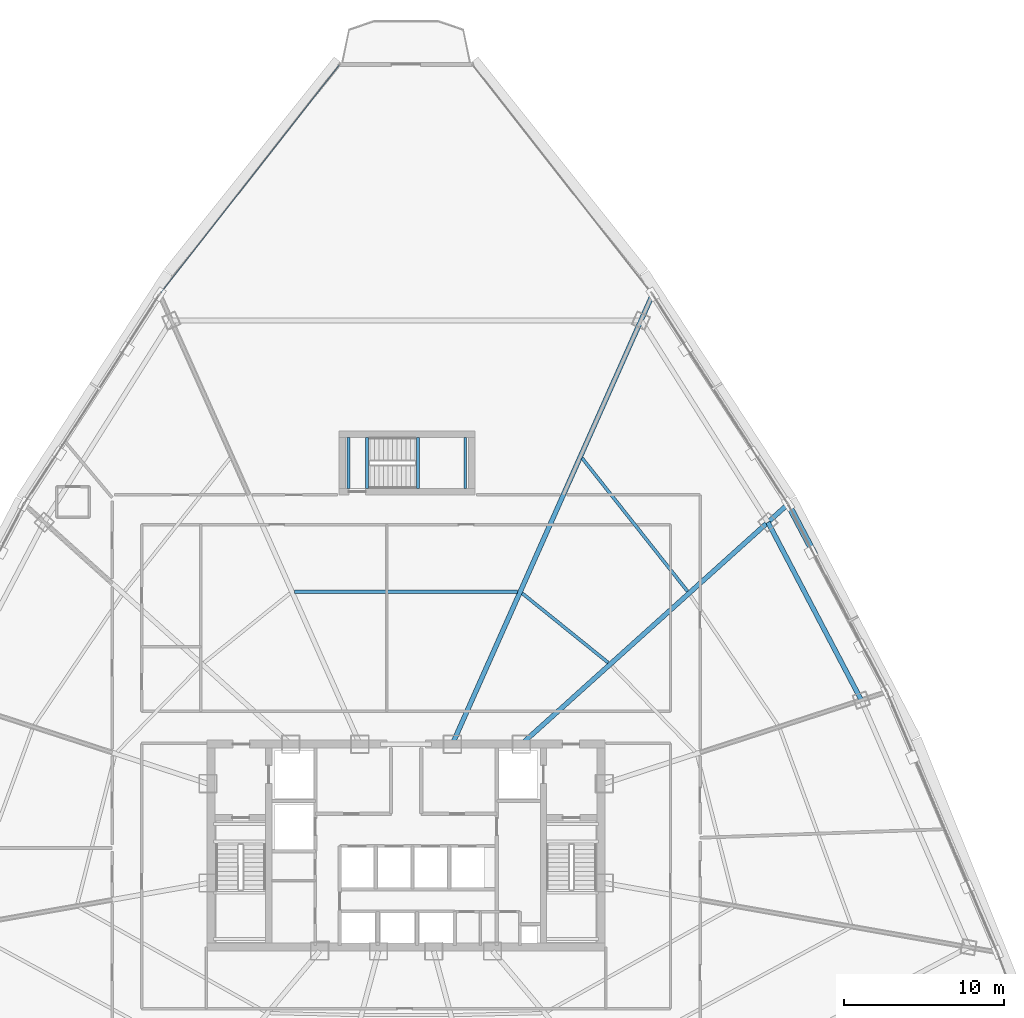
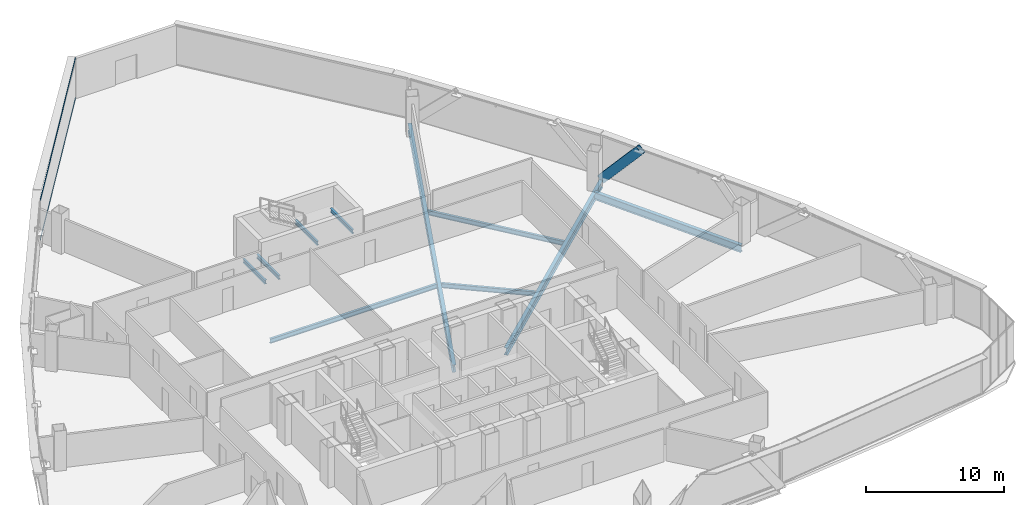
# One storey, part 19 of 37: 10 beams, 3 members, 1 element without a shape of its own.
"""IFC4 building model written with IfcOpenShell, lengths in metres."""

import ifcopenshell
import ifcopenshell.guid

model = None  # the IFC model being written
_history = None  # IfcOwnerHistory: only IFC2X3 demands one
_inside = {}  # id of a spatial element -> (the spatial element, [elements in it])
_under = {}  # id of a project, library or spatial element -> (it, [spatial elements below it])
_declared = {}  # id of a project -> (the project, [libraries it declares])
_typed = {}  # id of a type object -> (the type object, [elements of that type])
_made_of = {}  # id of a material, layer set ... -> (it, [elements and type objects made of it])


def new_model(schema):
    """Start an empty IFC model of exactly this schema.

    Asked for "IFC4X3", IfcOpenShell would pick the latest addendum, in which some entities
    have other attributes; the version numbers below select the first issue.
    IFC2X3 requires an IfcOwnerHistory on every rooted entity: one is made here for all.
    """
    global model, _history
    if schema == "IFC4X3":
        model = ifcopenshell.file(schema_version=(4, 3, 0, 0))
    else:
        model = ifcopenshell.file(schema=schema)
    _inside.clear()
    _under.clear()
    _declared.clear()
    _typed.clear()
    _made_of.clear()
    _history = None
    if model.schema == "IFC2X3":
        org = make("IfcOrganization", Name="unknown")
        user = make(
            "IfcPersonAndOrganization",
            ThePerson=make("IfcPerson", FamilyName="unknown"),
            TheOrganization=org,
        )
        app = make(
            "IfcApplication",
            ApplicationDeveloper=org,
            Version="unknown",
            ApplicationFullName="unknown",
            ApplicationIdentifier="unknown",
        )
        _history = make(
            "IfcOwnerHistory",
            OwningUser=user,
            OwningApplication=app,
            ChangeAction="ADDED",
            CreationDate=0,
        )
    return model


def make(cls, **values):
    """One entity of the class cls with the attributes given. An attribute that is None is left unset."""
    return model.create_entity(
        cls, **{name: value for name, value in values.items() if value is not None}
    )


def rooted(cls, **values):
    """An entity with a GlobalId (a new one), such as an element, a storey or a relation."""
    return make(cls, GlobalId=ifcopenshell.guid.new(), OwnerHistory=_history, **values)


def si_unit(unit_type, name, prefix=None):
    """IfcSIUnit, for example si_unit("LENGTHUNIT", "METRE", prefix="MILLI")."""
    return make("IfcSIUnit", UnitType=unit_type, Prefix=prefix, Name=name)


def assignment(units):
    """IfcUnitAssignment: the units of a project."""
    return None if units is None else make("IfcUnitAssignment", Units=units)


def point(xyz):
    """IfcCartesianPoint."""
    return None if xyz is None else make("IfcCartesianPoint", Coordinates=xyz)


def direction(xyz):
    """IfcDirection."""
    return None if xyz is None else make("IfcDirection", DirectionRatios=xyz)


def frame(location, z_axis=None, x_axis=None):
    """IfcAxis2Placement3D, a coordinate frame: its origin and axes. An axis left out is left unset."""
    return make(
        "IfcAxis2Placement3D",
        Location=point(location),
        Axis=direction(z_axis),
        RefDirection=direction(x_axis),
    )


def frame_2d(location, x_axis=None):
    """IfcAxis2Placement2D, a coordinate frame in the plane: its origin and x axis."""
    return make(
        "IfcAxis2Placement2D", Location=point(location), RefDirection=direction(x_axis)
    )


def origin():
    """The frame at (0, 0, 0) with its axes left unset."""
    return frame((0.0, 0.0, 0.0))


def origin_2d():
    """The frame at (0, 0) in the plane with its x axis left unset."""
    return frame_2d((0.0, 0.0))


def place(relative_to, where):
    """IfcLocalPlacement: puts the frame where relative to a parent placement (None: the world)."""
    return make(
        "IfcLocalPlacement", PlacementRelTo=relative_to, RelativePlacement=where
    )


def context(
    kind, dimensions, precision=None, world=None, true_north=None, identifier=None
):
    """IfcGeometricRepresentationContext, for example the 3D "Model" context."""
    return make(
        "IfcGeometricRepresentationContext",
        ContextIdentifier=identifier,
        ContextType=kind,
        CoordinateSpaceDimension=dimensions,
        Precision=precision,
        WorldCoordinateSystem=world,
        TrueNorth=true_north,
    )


def subcontext(parent, identifier, kind, view, scale=None):
    """IfcGeometricRepresentationSubContext, for example "Body" below "Model"."""
    return make(
        "IfcGeometricRepresentationSubContext",
        ContextIdentifier=identifier,
        ContextType=kind,
        ParentContext=parent,
        TargetScale=scale,
        TargetView=view,
    )


def project(units=None, contexts=None):
    """IfcProject with its units and contexts."""
    return rooted(
        "IfcProject",
        Name="project",
        RepresentationContexts=contexts,
        UnitsInContext=assignment(units),
    )


def spatial(cls, under=None, at=None, **own):
    """A site, building, storey or space (cls), placed at a placement, below another one or the project."""
    s = rooted(cls, ObjectPlacement=at, **own)
    if under is not None:
        _under.setdefault(under.id(), (under, []))[1].append(s)
    return s


def profile(cls, at=None, kind="AREA", **sizes):
    """A parametric profile (cls). Its sizes go by their IFC names, for example OverallWidth=200.0."""
    return make(cls, ProfileType=kind, Position=at, **sizes)


def hollow_rectangle(**sizes):
    """IfcRectangleHollowProfileDef."""
    return profile("IfcRectangleHollowProfileDef", **sizes)


def i_section(**sizes):
    """IfcIShapeProfileDef."""
    return profile("IfcIShapeProfileDef", **sizes)


def extrude(swept, where, along, depth):
    """IfcExtrudedAreaSolid: the profile swept, set in the frame where, extruded along a direction by depth."""
    return make(
        "IfcExtrudedAreaSolid",
        SweptArea=swept,
        Position=where,
        ExtrudedDirection=direction(along),
        Depth=depth,
    )


def shape(context_of_items, identifier, shape_type, items):
    """IfcShapeRepresentation: the items that make up one representation, for example the "Body"."""
    return make(
        "IfcShapeRepresentation",
        ContextOfItems=context_of_items,
        RepresentationIdentifier=identifier,
        RepresentationType=shape_type,
        Items=items,
    )


def source(mapping_origin, context_of_items, identifier, shape_type, items):
    """IfcRepresentationMap: a shape defined once, which mapped items show again and again."""
    return make(
        "IfcRepresentationMap",
        MappingOrigin=mapping_origin,
        MappedRepresentation=shape(context_of_items, identifier, shape_type, items),
    )


def transform(
    local_origin,
    x_axis=None,
    y_axis=None,
    z_axis=None,
    scale=None,
    scale2=None,
    scale3=None,
    uniform=True,
):
    """IfcCartesianTransformationOperator3D, or its non-uniform kind. x_axis, y_axis, z_axis: its Axis1, 2, 3."""
    if uniform:
        return make(
            "IfcCartesianTransformationOperator3D",
            Axis1=direction(x_axis),
            Axis2=direction(y_axis),
            LocalOrigin=point(local_origin),
            Scale=scale,
            Axis3=direction(z_axis),
        )
    return make(
        "IfcCartesianTransformationOperator3DnonUniform",
        Axis1=direction(x_axis),
        Axis2=direction(y_axis),
        LocalOrigin=point(local_origin),
        Scale=scale,
        Axis3=direction(z_axis),
        Scale2=scale2,
        Scale3=scale3,
    )


def mapped(mapping_source, mapping_target):
    """IfcMappedItem: shows the shape of a source again, moved by a transform."""
    return make(
        "IfcMappedItem", MappingSource=mapping_source, MappingTarget=mapping_target
    )


def material(Name=None, Category=None):
    """IfcMaterial."""
    return make("IfcMaterial", Name=Name, Category=Category)


def layer(
    of_material, thickness, ventilated=None, Name=None, Category=None, Priority=None
):
    """IfcMaterialLayer: one layer of a wall or slab, of a material (None: an air gap)."""
    return make(
        "IfcMaterialLayer",
        Material=of_material,
        LayerThickness=thickness,
        IsVentilated=ventilated,
        Name=Name,
        Category=Category,
        Priority=Priority,
    )


def layer_set(layers, Name=None):
    """IfcMaterialLayerSet."""
    return make("IfcMaterialLayerSet", MaterialLayers=layers, LayerSetName=Name)


def material_profile(
    of_material, cross_section, Name=None, Category=None, Priority=None
):
    """IfcMaterialProfile: a cross section and its material."""
    return make(
        "IfcMaterialProfile",
        Name=Name,
        Material=of_material,
        Profile=cross_section,
        Priority=Priority,
        Category=Category,
    )


def profile_set(profiles, Name=None, composite=None):
    """IfcMaterialProfileSet."""
    return make(
        "IfcMaterialProfileSet",
        Name=Name,
        MaterialProfiles=profiles,
        CompositeProfile=composite,
    )


def made_of(thing, what):
    """Note that an element or type object is made of a material, layer set ...; save() writes the relation."""
    if what is not None:
        _made_of.setdefault(what.id(), (what, []))[1].append(thing)
    return thing


def type_object(cls, material=None, **own):
    """A type object (cls), such as IfcWallType, which elements share."""
    return made_of(rooted(cls, **own), material)


def element(
    cls,
    number,
    at=None,
    inside=None,
    cuts=None,
    type_object=None,
    material=None,
    context=None,
    identifier="Body",
    shape_type=None,
    held_by="IfcProductDefinitionShape",
    body=None,
    shapes=None,
    **own,
):
    """One element of the class cls, such as IfcWall. Its Tag is "e" and its number.

    at: its placement. inside: the storey or other place that contains it. cuts: it is an
    opening in that element (IfcRelVoidsElement). A single representation is given by context,
    identifier, shape_type and body (its items); several are given by shapes. held_by: the class
    of the entity that holds the representations. save() writes the other relations.
    """
    e = rooted(cls, Tag="e%d" % number, ObjectPlacement=at, **own)
    if body is not None:
        shapes = [shape(context, identifier, shape_type, body)]
    if shapes is not None:
        e.Representation = make(held_by, Representations=shapes)
    if inside is not None:
        _inside.setdefault(inside.id(), (inside, []))[1].append(e)
    if cuts is not None:
        rooted(
            "IfcRelVoidsElement", RelatingBuildingElement=cuts, RelatedOpeningElement=e
        )
    if type_object is not None:
        _typed.setdefault(type_object.id(), (type_object, []))[1].append(e)
    return made_of(e, material)


def aggregate(whole, parts):
    """IfcRelAggregates: a whole, such as a stair, and the parts it consists of."""
    return rooted("IfcRelAggregates", RelatingObject=whole, RelatedObjects=parts)


def save(model, path):
    """Write the relations noted so far, then the file.

    IfcRelAggregates (storeys below a building ...), IfcRelContainedInSpatialStructure (elements
    in a storey), IfcRelDefinesByType, IfcRelAssociatesMaterial and IfcRelDeclares: one each for
    every whole, place, type object, material and project.
    """
    for whole, parts in _under.values():
        aggregate(whole, parts)
    for where, things in _inside.values():
        rooted(
            "IfcRelContainedInSpatialStructure",
            RelatedElements=things,
            RelatingStructure=where,
        )
    for kind, things in _typed.values():
        rooted("IfcRelDefinesByType", RelatedObjects=things, RelatingType=kind)
    for what, things in _made_of.values():
        rooted("IfcRelAssociatesMaterial", RelatedObjects=things, RelatingMaterial=what)
    for by, libraries in _declared.values():
        rooted("IfcRelDeclares", RelatingContext=by, RelatedDefinitions=libraries)
    model.write(path)


model = new_model("IFC4")

# Units and contexts
model_context = context("Model", 3, precision=1e-05, world=origin(), true_north=direction((0.0, 1.0)))
body_context = subcontext(model_context, "Body", "Model", "MODEL_VIEW")
ifc_project = project(units=[si_unit("LENGTHUNIT", "METRE"), si_unit("AREAUNIT", "SQUARE_METRE"), si_unit("VOLUMEUNIT", "CUBIC_METRE"), si_unit("PLANEANGLEUNIT", "RADIAN"), si_unit("MASSUNIT", "GRAM", prefix="KILO"), si_unit("THERMODYNAMICTEMPERATUREUNIT", "KELVIN"), si_unit("POWERUNIT", "WATT")], contexts=[model_context])

# Site, building, storey
site_placement = place(None, origin())
site = spatial("IfcSite", under=ifc_project, at=site_placement, CompositionType="ELEMENT")
building_placement = place(site_placement, origin())
building = spatial("IfcBuilding", under=site, at=building_placement, Name="Yunzhuo Pagoda Commons", CompositionType="ELEMENT")
storey_placement = place(building_placement, frame((0.0, 0.0, 207.56005859375)))
storey = spatial("IfcBuildingStorey", under=building, at=storey_placement, Name="L52", CompositionType="ELEMENT", Elevation=207.56005859375)

# Beams
ifc_material_1 = material(Name="Structural steel Q355B", Category="steel")
ifc_material_profile_1 = material_profile(ifc_material_1, i_section(OverallWidth=0.175048828125, OverallDepth=0.35009765625, WebThickness=0.007080078125, FlangeThickness=0.010986328125, at=origin_2d()), Name="Structural steel Q355B")
ifc_profile_set_1 = profile_set([ifc_material_profile_1], Name="Structural steel Q355B")
beam_type_1 = type_object("IfcBeamType", Name="B-JS2 Joist HN 350x175x7x11", PredefinedType="JOIST", material=ifc_profile_set_1)
shared_shape_1 = source(origin(), body_context, "Body", "SweptSolid", [
    extrude(i_section(OverallWidth=0.175048828125, OverallDepth=0.35009765625, WebThickness=0.007080078125, FlangeThickness=0.010986328125, at=origin_2d()), origin(), (0.0, 0.0, 1.0), 3.199951171875),
])
for number, where, z_axis, x_axis, name in (
    (1, (48.75, 56.199951171875, 1.52490234375), (0.0, 1.0, 0.0), (-1.0, 0.0, 0.0), "L52 ST3 landing support beam 58A"),
    (2, (51.699951171875, 56.199951171875, 1.52490234375), (0.0, 1.0, 0.0), (-1.0, 0.0, 0.0), "L52 ST3 landing support beam 58B"),
    (3, (44.39990234375, 56.199951171875, -0.375), (0.0, 1.0, 0.0), (-1.0, 0.0, 0.0), "L52 ST3 landing support beam 126A"),
    (4, (45.550048828125, 56.199951171875, -0.375), (0.0, 1.0, 0.0), (-1.0, 0.0, 0.0), "L52 ST3 landing support beam 126B"),
):
    element("IfcBeam", number, at=place(storey_placement, frame(where, z_axis=z_axis, x_axis=x_axis)), inside=storey, type_object=beam_type_1, Name=name, PredefinedType="JOIST", context=body_context, shape_type="MappedRepresentation", body=[
        mapped(shared_shape_1, transform((0.0, 0.0, 0.0), scale=1.0)),
    ])
ifc_material_profile_2 = material_profile(ifc_material_1, i_section(OverallWidth=0.300048828125, OverallDepth=0.64990234375, WebThickness=0.012939453125, FlangeThickness=0.02197265625, at=origin_2d()), Name="Structural steel Q355B")
ifc_profile_set_2 = profile_set([ifc_material_profile_2], Name="Structural steel Q355B")
beam_type_2 = type_object("IfcBeamType", Name="B-RG2 Beam HN 650x300x13x22", PredefinedType="BEAM", material=ifc_profile_set_2)
shared_shape_2 = source(origin(), body_context, "Body", "SweptSolid", [
    extrude(i_section(OverallWidth=0.300048828125, OverallDepth=0.64990234375, WebThickness=0.012939453125, FlangeThickness=0.02197265625, at=origin_2d()), origin(), (0.0, 0.0, 1.0), 12.576416015625),
])
beam_1_placement = place(storey_placement, frame((76.49462890625, 42.95849609375, -0.5849609375), z_axis=(-0.464676385233, 0.885480579689, 0.0), x_axis=(-0.885480579689, -0.464676385233, 0.0)))
element("IfcBeam", 5, at=beam_1_placement, inside=storey, type_object=beam_type_2, Name="L52 column-ring beam 6", PredefinedType="BEAM", context=body_context, shape_type="MappedRepresentation", body=[
    mapped(shared_shape_2, transform((0.0, 0.0, 0.0), scale=1.0)),
])
ifc_material_profile_3 = material_profile(ifc_material_1, i_section(OverallWidth=0.199951171875, OverallDepth=0.39990234375, WebThickness=0.008056640625, FlangeThickness=0.012939453125, at=origin_2d()), Name="Structural steel Q355B")
ifc_profile_set_3 = profile_set([ifc_material_profile_3], Name="Structural steel Q355B")
beam_type_3 = type_object("IfcBeamType", Name="B-JS1 Joist HN 400x200x8x13", PredefinedType="JOIST", material=ifc_profile_set_3)
shared_shape_3 = source(origin(), body_context, "Body", "SweptSolid", [
    extrude(i_section(OverallWidth=0.199951171875, OverallDepth=0.39990234375, WebThickness=0.008056640625, FlangeThickness=0.012939453125, at=origin_2d()), origin(), (0.0, 0.0, 1.0), 6.916748046875),
])
beam_2_placement = place(storey_placement, frame((60.650634765625, 45.302001953125, -0.4599609375), z_axis=(-0.778265575865, 0.627935262127, 0.0), x_axis=(-0.627935262127, -0.778265575865, 0.0)))
element("IfcBeam", 6, at=beam_2_placement, inside=storey, type_object=beam_type_3, Name="L52 composite ring joist 1.7", PredefinedType="JOIST", context=body_context, shape_type="MappedRepresentation", body=[
    mapped(shared_shape_3, transform((0.0, 0.0, 0.0), scale=1.0)),
])
shared_shape_4 = source(origin(), body_context, "Body", "SweptSolid", [
    extrude(i_section(OverallWidth=0.199951171875, OverallDepth=0.39990234375, WebThickness=0.008056640625, FlangeThickness=0.012939453125, at=origin_2d()), origin(), (0.0, 0.0, 1.0), 10.62548828125),
])
beam_3_placement = place(storey_placement, frame((65.614013671875, 49.773193359375, -0.4599609375), z_axis=(-0.620561688531, 0.784157631301, 0.0), x_axis=(-0.784157631301, -0.620561688531, 0.0)))
element("IfcBeam", 7, at=beam_3_placement, inside=storey, type_object=beam_type_3, Name="L52 composite ring joist 2.7", PredefinedType="JOIST", context=body_context, shape_type="MappedRepresentation", body=[
    mapped(shared_shape_4, transform((0.0, 0.0, 0.0), scale=1.0)),
])
shared_shape_5 = source(origin(), body_context, "Body", "SweptSolid", [
    extrude(i_section(OverallWidth=0.199951171875, OverallDepth=0.39990234375, WebThickness=0.008056640625, FlangeThickness=0.012939453125, at=origin_2d()), origin(), (0.0, 0.0, 1.0), 13.9697265625),
])
beam_4_placement = place(storey_placement, frame((54.98486328125, 49.7451171875, -0.4599609375), z_axis=(-1.0, 0.0, 0.0), x_axis=(0.0, -1.0, 0.0)))
element("IfcBeam", 8, at=beam_4_placement, inside=storey, type_object=beam_type_3, Name="L52 composite ring joist 1.8", PredefinedType="JOIST", context=body_context, shape_type="MappedRepresentation", body=[
    mapped(shared_shape_5, transform((0.0, 0.0, 0.0), scale=1.0)),
])
shared_shape_6 = source(origin(), body_context, "Body", "SweptSolid", [
    extrude(i_section(OverallWidth=0.300048828125, OverallDepth=0.64990234375, WebThickness=0.012939453125, FlangeThickness=0.02197265625, at=origin_2d()), origin(), (0.0, 0.0, 1.0), 22.309326171875),
])
beam_5_placement = place(storey_placement, frame((71.798095703125, 55.1279296875, -0.5849609375), z_axis=(-0.743142854704, -0.669132795118, 0.0), x_axis=(0.669132795118, -0.743142854704, 0.0)))
element("IfcBeam", 9, at=beam_5_placement, inside=storey, type_object=beam_type_2, Name="L52 radial floor girder F2C3", PredefinedType="BEAM", context=body_context, shape_type="MappedRepresentation", body=[
    mapped(shared_shape_6, transform((0.0, 0.0, 0.0), scale=1.0)),
])
shared_shape_7 = source(origin(), body_context, "Body", "SweptSolid", [
    extrude(i_section(OverallWidth=0.300048828125, OverallDepth=0.64990234375, WebThickness=0.012939453125, FlangeThickness=0.02197265625, at=origin_2d()), origin(), (0.0, 0.0, 1.0), 30.670166015625),
])
beam_6_placement = place(storey_placement, frame((63.36865234375, 68.218505859375, -0.5849609375), z_axis=(-0.406735149386, -0.913546122675, 0.0), x_axis=(0.913546122675, -0.406735149386, 0.0)))
element("IfcBeam", 10, at=beam_6_placement, inside=storey, type_object=beam_type_2, Name="L52 radial floor girder F2C4", PredefinedType="BEAM", context=body_context, shape_type="MappedRepresentation", body=[
    mapped(shared_shape_7, transform((0.0, 0.0, 0.0), scale=1.0)),
])

# Member
ifc_material_profile_4 = material_profile(ifc_material_1, hollow_rectangle(XDim=0.39990234375, YDim=0.719970703125, WallThickness=0.02392578125, at=origin_2d()), Name="Structural steel Q355B")
ifc_profile_set_4 = profile_set([ifc_material_profile_4], Name="Structural steel Q355B")
member_type_1 = type_object("IfcMemberType", Name="M-DL2 Brace BOX 720x400x24", PredefinedType="BRACE", material=ifc_profile_set_4)
shared_shape_8 = source(origin(), body_context, "Body", "SweptSolid", [
    extrude(hollow_rectangle(XDim=0.39990234375, YDim=0.719970703125, WallThickness=0.02392578125, at=origin_2d()), origin(), (0.0, 0.0, 1.0), 5.046142578125),
])
member_1_placement = place(storey_placement, frame((71.9130859375, 55.2314453125, -0.260009765625), z_axis=(0.306878883424, -0.582020016962, 0.753045849045), x_axis=(0.884571858339, 0.466403931625, 0.0)))
element("IfcMember", 11, at=member_1_placement, inside=storey, type_object=member_type_1, Name="L52 facade diamond brace F2.2R", PredefinedType="BRACE", context=body_context, shape_type="MappedRepresentation", body=[
    mapped(shared_shape_8, transform((0.0, 0.0, 0.0), scale=1.0)),
])

# Curtain wall, members
ifc_material_2 = material(Name="Anodized aluminium 6063-T6", Category="aluminium")
ifc_layer = layer(ifc_material_2, 0.14990234375)
ifc_layer_set = layer_set([ifc_layer], Name="Anodized aluminium 6063-T6")
curtain_wall_type = type_object("IfcCurtainWallType", Name="CW-MID Mid-Zone Ribbon Curtain Wall", PredefinedType="NOTDEFINED", material=ifc_layer_set)
curtain_wall_placement = place(storey_placement, origin())
curtain_wall = element("IfcCurtainWall", 12, at=curtain_wall_placement, inside=storey, type_object=curtain_wall_type, Name="L52 curtain wall CW-L52-F3B1", PredefinedType="NOTDEFINED")
ifc_material_profile_5 = material_profile(ifc_material_2, hollow_rectangle(XDim=0.054931640625, YDim=0.1298828125, WallThickness=0.00341796875, at=origin_2d()), Name="Anodized aluminium 6063-T6")
ifc_profile_set_5 = profile_set([ifc_material_profile_5], Name="Anodized aluminium 6063-T6")
member_type_2 = type_object("IfcMemberType", Name="CW-MID-T Transom RHS 130x55x3.5", PredefinedType="USERDEFINED", material=ifc_profile_set_5)
shared_shape_9 = source(origin(), body_context, "Body", "SweptSolid", [
    extrude(hollow_rectangle(XDim=0.054931640625, YDim=0.1298828125, WallThickness=0.00341796875, at=origin_2d()), origin(), (0.0, 0.0, 1.0), 18.089111328125),
])
member_2_placement = place(storey_placement, frame((43.808349609375, 82.705078125, 0.02734375), z_axis=(-0.616765964752, -0.787146584013, 0.0), x_axis=(0.787146584013, -0.616765964752, 0.0)))
member_2 = element("IfcMember", 13, at=member_2_placement, type_object=member_type_2, Name="CW transom 1.1", ObjectType="TRANSOM", PredefinedType="USERDEFINED", context=body_context, shape_type="MappedRepresentation", body=[
    mapped(shared_shape_9, transform((0.0, 0.0, 0.0), scale=1.0)),
])
member_3_placement = place(storey_placement, frame((43.808349609375, 82.705078125, 3.512451171875), z_axis=(-0.616765964752, -0.787146584013, 0.0), x_axis=(0.787146584013, -0.616765964752, 0.0)))
member_3 = element("IfcMember", 14, at=member_3_placement, type_object=member_type_2, Name="CW transom 1.2", ObjectType="TRANSOM", PredefinedType="USERDEFINED", context=body_context, shape_type="MappedRepresentation", body=[
    mapped(shared_shape_9, transform((0.0, 0.0, 0.0), scale=1.0)),
])
aggregate(curtain_wall, [member_2, member_3])

save(model, "model.ifc")
